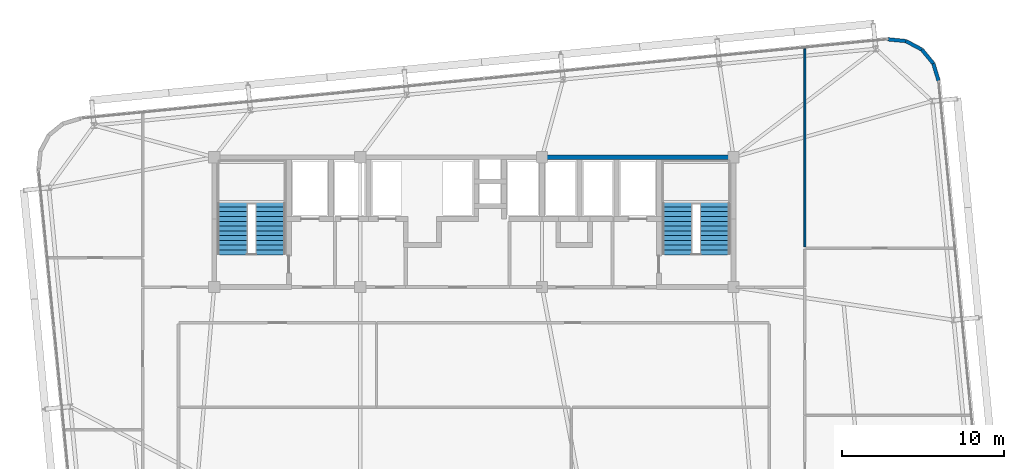
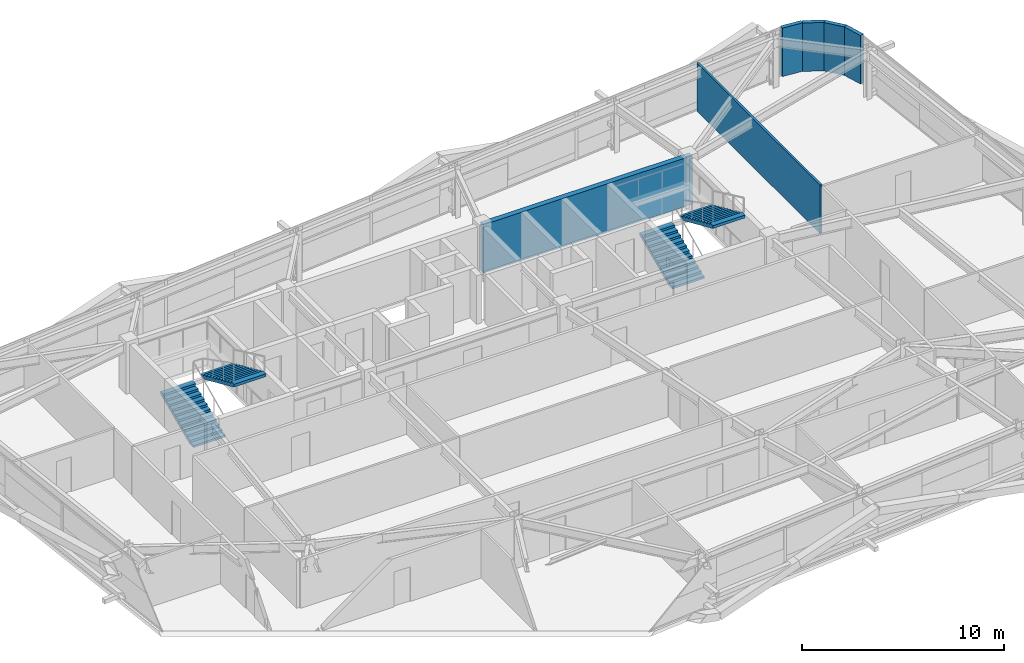
# One storey, part 44 of 47: 6 walls, 4 stair flights, 2 elements without a shape of their own.
"""IFC4 building model written with IfcOpenShell, lengths in metres."""

from ifc_helpers import new_model, si_unit, direction, frame, frame_2d, origin, place, context, subcontext, project, spatial, polyline, rectangle, outline, extrude, source, transform, mapped, material, layer, layer_set, type_object, element, aggregate, save


model = new_model("IFC4")

# Units and contexts
model_context = context("Model", 3, precision=1e-05, world=origin(), true_north=direction((0.0, 1.0)))
body_context = subcontext(model_context, "Body", "Model", "MODEL_VIEW")
ifc_project = project(units=[si_unit("LENGTHUNIT", "METRE"), si_unit("AREAUNIT", "SQUARE_METRE"), si_unit("VOLUMEUNIT", "CUBIC_METRE"), si_unit("PLANEANGLEUNIT", "RADIAN"), si_unit("MASSUNIT", "GRAM", prefix="KILO")], contexts=[model_context])

# Site, building, storey
site_placement = place(None, origin())
site = spatial("IfcSite", under=ifc_project, at=site_placement, CompositionType="ELEMENT")
building_placement = place(site_placement, origin())
building = spatial("IfcBuilding", under=site, at=building_placement, Name="Taldren Reach Tower", CompositionType="ELEMENT")
storey_placement = place(building_placement, frame((0.0, 0.0, 87.14990234375)))
storey = spatial("IfcBuildingStorey", under=building, at=storey_placement, Name="L26", CompositionType="ELEMENT", Elevation=87.14990234375)

# Walls
ifc_material_1 = material(Name="Pale Champagne Anodised Aluminium Cladding", Category="aluminium")
ifc_layer_1 = layer(ifc_material_1, 0.04, Name="Pale Champagne Anodised Aluminium Cladding", Category="aluminium")
ifc_material_2 = material(Name="Mineral Wool Acoustic Insulation", Category="insulation")
ifc_layer_2 = layer(ifc_material_2, 0.06, Name="Mineral Wool Acoustic Insulation", Category="insulation")
ifc_material_3 = material(Name="Steel Gr 350 (C350L0)", Category="steel")
ifc_layer_3 = layer(ifc_material_3, 0.12, Name="Steel Gr 350 (C350L0)", Category="steel")
ifc_layer_set_1 = layer_set([ifc_layer_1, ifc_layer_2, ifc_layer_3], Name="Pale Champagne Aluminium Cladding and Steel Gr 350 Stud Framing")
wall_type_1 = type_object("IfcWallType", Name="EW-CRN-220", PredefinedType="SOLIDWALL", material=ifc_layer_set_1)
shared_shape_1 = source(origin(), body_context, "Body", "SweptSolid", [
    extrude(rectangle(XDim=1.115966796875, YDim=0.219970703125, at=frame_2d((0.55810546875, 0.0))), origin(), (0.0, 0.0, 1.0), 2.93017578125),
])
for number, where, z_axis, x_axis, name in (
    (1, (63.6376953125, 36.6982421875, 0.0), (0.0, 0.0, 1.0), (-0.289855603468, 0.957070388811, 0.0), "Rounded-corner pale-metal facade wall L26-NE1"),
    (2, (62.606689453125, 38.629150390625, 0.0), (0.0, 0.0, 1.0), (-0.881655534635, 0.471893545461, 0.0), "Rounded-corner pale-metal facade wall L26-NE3"),
    (3, (61.622802734375, 39.15576171875, 0.0), (0.0, 0.0, 1.0), (-0.995142755671, 0.09844234778, 0.0), "Rounded-corner pale-metal facade wall L26-NE4"),
):
    element("IfcWall", number, at=place(storey_placement, frame(where, z_axis=z_axis, x_axis=x_axis)), inside=storey, type_object=wall_type_1, Name=name, PredefinedType="SOLIDWALL", context=body_context, shape_type="MappedRepresentation", body=[
        mapped(shared_shape_1, transform((0.0, 0.0, 0.0), scale=1.0)),
    ])
shared_shape_2 = source(origin(), body_context, "Body", "SweptSolid", [
    extrude(rectangle(XDim=1.11572265625, YDim=0.219970703125, at=frame_2d((0.557861328125, 0.0))), origin(), (0.0, 0.0, 1.0), 2.93017578125),
])
wall_1_placement = place(storey_placement, frame((63.314208984375, 37.766357421875, 0.0), z_axis=(0.0, 0.0, 1.0), x_axis=(-0.634095287989, 0.773254916409, 0.0)))
element("IfcWall", 4, at=wall_1_placement, inside=storey, type_object=wall_type_1, Name="Rounded-corner pale-metal facade wall L26-NE2", PredefinedType="SOLIDWALL", context=body_context, shape_type="MappedRepresentation", body=[
    mapped(shared_shape_2, transform((0.0, 0.0, 0.0), scale=1.0)),
])
ifc_material_4 = material(Name="Concrete S65 (65 MPa)", Category="concrete")
ifc_layer_4 = layer(ifc_material_4, 0.300048828125)
ifc_layer_set_2 = layer_set([ifc_layer_4], Name="Concrete S65 (65 MPa)")
wall_type_2 = type_object("IfcWallType", Name="IW-CORE-300", PredefinedType="SHEAR", material=ifc_layer_set_2)
shared_shape_3 = source(origin(), body_context, "Body", "SweptSolid", [
    extrude(rectangle(XDim=11.949951171875, YDim=0.300048828125, at=frame_2d((5.97509765625, 0.0))), origin(), (0.0, 0.0, 1.0), 2.93017578125),
])
wall_2_placement = place(storey_placement, frame((39.199951171875, 32.0, 0.0), z_axis=(0.0, 0.0, 1.0), x_axis=(1.0, 0.0, 0.0)))
element("IfcWall", 5, at=wall_2_placement, inside=storey, type_object=wall_type_2, Name="Rear Core Shear Wall W-CORE-L26-NORTH3", PredefinedType="SHEAR", context=body_context, shape_type="MappedRepresentation", body=[
    mapped(shared_shape_3, transform((0.0, 0.0, 0.0), scale=1.0)),
])
ifc_material_5 = material(Name="Insulated Residential Stud Partition", Category="gypsum")
ifc_layer_5 = layer(ifc_material_5, 0.1201171875)
ifc_layer_set_3 = layer_set([ifc_layer_5], Name="Insulated Residential Stud Partition")
wall_type_3 = type_object("IfcWallType", Name="IW-PART-120", PredefinedType="PARTITIONING", material=ifc_layer_set_3)
shared_shape_4 = source(origin(), body_context, "Body", "SweptSolid", [
    extrude(rectangle(XDim=12.20166015625, YDim=0.1201171875, at=frame_2d((6.100830078125, 0.0))), origin(), (0.0, 0.0, 1.0), 2.93017578125),
])
wall_3_placement = place(storey_placement, frame((55.39990234375, 26.47998046875, 0.0), z_axis=(0.0, 0.0, 1.0), x_axis=(0.0, 1.0, 0.0)))
element("IfcWall", 6, at=wall_3_placement, inside=storey, type_object=wall_type_3, Name="Interior Partition Wall W-INT-L26-082", PredefinedType="PARTITIONING", context=body_context, shape_type="MappedRepresentation", body=[
    mapped(shared_shape_4, transform((0.0, 0.0, 0.0), scale=1.0)),
])

# Stair, stair flights
ifc_material_6 = material(Name="Concrete S50 (50 MPa)", Category="concrete")
stair_type = type_object("IfcStairType", Name="ST-HT-315", PredefinedType="HALF_TURN_STAIR", material=ifc_material_6)
stair_1_placement = place(storey_placement, origin())
stair_1 = element("IfcStair", 7, at=stair_1_placement, inside=storey, type_object=stair_type, Name="Fire-isolated exit stair ST1 L26", PredefinedType="HALF_TURN_STAIR")
stair_flight_type = type_object("IfcStairFlightType", Name="SF-STR-315", PredefinedType="STRAIGHT", material=ifc_material_6)
stair_flight_1_placement = place(storey_placement, frame((20.139892578125, 25.989990234375, 0.0), z_axis=(0.0, 0.0, 1.0), x_axis=(0.0, 1.0, 0.0)))
stair_flight_1 = element("IfcStairFlight", 8, at=stair_flight_1_placement, type_object=stair_flight_type, Name="ST1 flight 1", NumberOfRisers=12, NumberOfTreads=11, PredefinedType="STRAIGHT", RiserHeight=0.13125, TreadLength=0.295, context=body_context, shape_type="SweptSolid", body=[
    extrude(outline(polyline([(0.0, 0.0), (0.0, 0.13134765625), (0.294921875, 0.13134765625), (0.294921875, 0.262451171875), (0.590087890625, 0.262451171875), (0.590087890625, 0.393798828125), (0.885009765625, 0.393798828125), (0.885009765625, 0.52490234375), (1.179931640625, 0.52490234375), (1.179931640625, 0.65625), (1.47509765625, 0.65625), (1.47509765625, 0.78759765625), (1.77001953125, 0.78759765625), (1.77001953125, 0.918701171875), (2.06494140625, 0.918701171875), (2.06494140625, 1.050048828125), (2.360107421875, 1.050048828125), (2.360107421875, 1.18115234375), (2.655029296875, 1.18115234375), (2.655029296875, 1.3125), (2.949951171875, 1.3125), (2.949951171875, 1.44384765625), (3.2451171875, 1.44384765625), (3.2451171875, 1.574951171875), (3.2451171875, 1.268798828125), (0.393310546875, 0.0), (0.0, 0.0)])), frame((0.0, 0.919921875, 0.0), z_axis=(0.0, -1.0, 0.0), x_axis=(1.0, 0.0, 0.0)), (0.0, 0.0, 1.0), 1.840087890625),
])
stair_flight_2_placement = place(storey_placement, frame((22.4599609375, 29.235107421875, 1.5751953125), z_axis=(0.0, 0.0, 1.0), x_axis=(0.0, -1.0, 0.0)))
stair_flight_2 = element("IfcStairFlight", 9, at=stair_flight_2_placement, type_object=stair_flight_type, Name="ST1 flight 2", NumberOfRisers=12, NumberOfTreads=11, PredefinedType="STRAIGHT", RiserHeight=0.13125, TreadLength=0.295, context=body_context, shape_type="SweptSolid", body=[
    extrude(outline(polyline([(0.0, 0.0), (0.0, 0.13134765625), (0.294921875, 0.13134765625), (0.294921875, 0.262451171875), (0.590087890625, 0.262451171875), (0.590087890625, 0.393798828125), (0.885009765625, 0.393798828125), (0.885009765625, 0.52490234375), (1.179931640625, 0.52490234375), (1.179931640625, 0.65625), (1.47509765625, 0.65625), (1.47509765625, 0.78759765625), (1.77001953125, 0.78759765625), (1.77001953125, 0.918701171875), (2.06494140625, 0.918701171875), (2.06494140625, 1.050048828125), (2.360107421875, 1.050048828125), (2.360107421875, 1.18115234375), (2.655029296875, 1.18115234375), (2.655029296875, 1.3125), (2.949951171875, 1.3125), (2.949951171875, 1.44384765625), (3.2451171875, 1.44384765625), (3.2451171875, 1.574951171875), (3.2451171875, 1.268798828125), (0.393310546875, 0.0), (0.0, 0.0)])), frame((0.0, 0.919921875, 0.0), z_axis=(0.0, -1.0, 0.0), x_axis=(1.0, 0.0, 0.0)), (0.0, 0.0, 1.0), 1.840087890625),
])
aggregate(stair_1, [stair_flight_1, stair_flight_2])

stair_2_placement = place(storey_placement, origin())
stair_2 = element("IfcStair", 10, at=stair_2_placement, inside=storey, type_object=stair_type, Name="Fire-isolated exit stair ST2 L26", PredefinedType="HALF_TURN_STAIR")
stair_flight_3_placement = place(storey_placement, frame((47.5400390625, 25.989990234375, 0.0), z_axis=(0.0, 0.0, 1.0), x_axis=(0.0, 1.0, 0.0)))
stair_flight_3 = element("IfcStairFlight", 11, at=stair_flight_3_placement, type_object=stair_flight_type, Name="ST2 flight 1", NumberOfRisers=12, NumberOfTreads=11, PredefinedType="STRAIGHT", RiserHeight=0.13125, TreadLength=0.295, context=body_context, shape_type="SweptSolid", body=[
    extrude(outline(polyline([(0.0, 0.0), (0.0, 0.13134765625), (0.294921875, 0.13134765625), (0.294921875, 0.262451171875), (0.590087890625, 0.262451171875), (0.590087890625, 0.393798828125), (0.885009765625, 0.393798828125), (0.885009765625, 0.52490234375), (1.179931640625, 0.52490234375), (1.179931640625, 0.65625), (1.47509765625, 0.65625), (1.47509765625, 0.78759765625), (1.77001953125, 0.78759765625), (1.77001953125, 0.918701171875), (2.06494140625, 0.918701171875), (2.06494140625, 1.050048828125), (2.360107421875, 1.050048828125), (2.360107421875, 1.18115234375), (2.655029296875, 1.18115234375), (2.655029296875, 1.3125), (2.949951171875, 1.3125), (2.949951171875, 1.44384765625), (3.2451171875, 1.44384765625), (3.2451171875, 1.574951171875), (3.2451171875, 1.268798828125), (0.393310546875, 0.0), (0.0, 0.0)])), frame((0.0, 0.919921875, 0.0), z_axis=(0.0, -1.0, 0.0), x_axis=(1.0, 0.0, 0.0)), (0.0, 0.0, 1.0), 1.840087890625),
])
stair_flight_4_placement = place(storey_placement, frame((49.860107421875, 29.235107421875, 1.5751953125), z_axis=(0.0, 0.0, 1.0), x_axis=(0.0, -1.0, 0.0)))
stair_flight_4 = element("IfcStairFlight", 12, at=stair_flight_4_placement, type_object=stair_flight_type, Name="ST2 flight 2", NumberOfRisers=12, NumberOfTreads=11, PredefinedType="STRAIGHT", RiserHeight=0.13125, TreadLength=0.295, context=body_context, shape_type="SweptSolid", body=[
    extrude(outline(polyline([(0.0, 0.0), (0.0, 0.13134765625), (0.294921875, 0.13134765625), (0.294921875, 0.262451171875), (0.590087890625, 0.262451171875), (0.590087890625, 0.393798828125), (0.885009765625, 0.393798828125), (0.885009765625, 0.52490234375), (1.179931640625, 0.52490234375), (1.179931640625, 0.65625), (1.47509765625, 0.65625), (1.47509765625, 0.78759765625), (1.77001953125, 0.78759765625), (1.77001953125, 0.918701171875), (2.06494140625, 0.918701171875), (2.06494140625, 1.050048828125), (2.360107421875, 1.050048828125), (2.360107421875, 1.18115234375), (2.655029296875, 1.18115234375), (2.655029296875, 1.3125), (2.949951171875, 1.3125), (2.949951171875, 1.44384765625), (3.2451171875, 1.44384765625), (3.2451171875, 1.574951171875), (3.2451171875, 1.268798828125), (0.393310546875, 0.0), (0.0, 0.0)])), frame((0.0, 0.919921875, 0.0), z_axis=(0.0, -1.0, 0.0), x_axis=(1.0, 0.0, 0.0)), (0.0, 0.0, 1.0), 1.840087890625),
])
aggregate(stair_2, [stair_flight_3, stair_flight_4])

save(model, "model.ifc")
